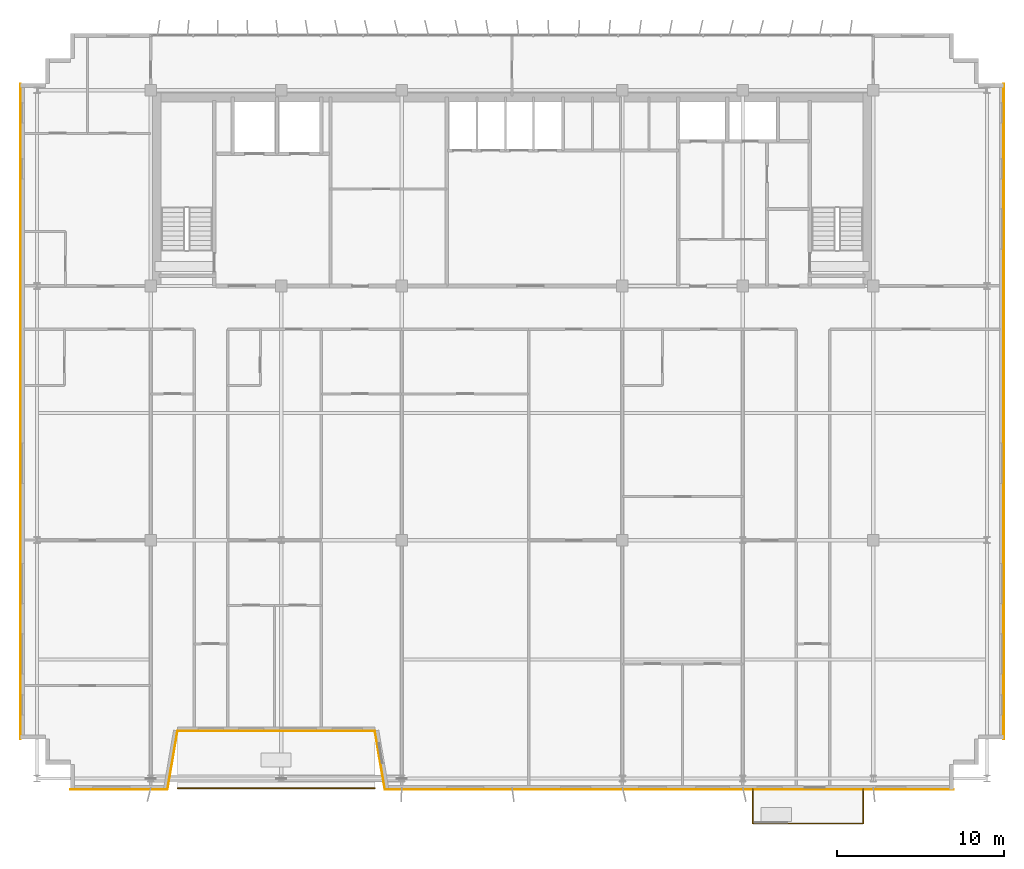
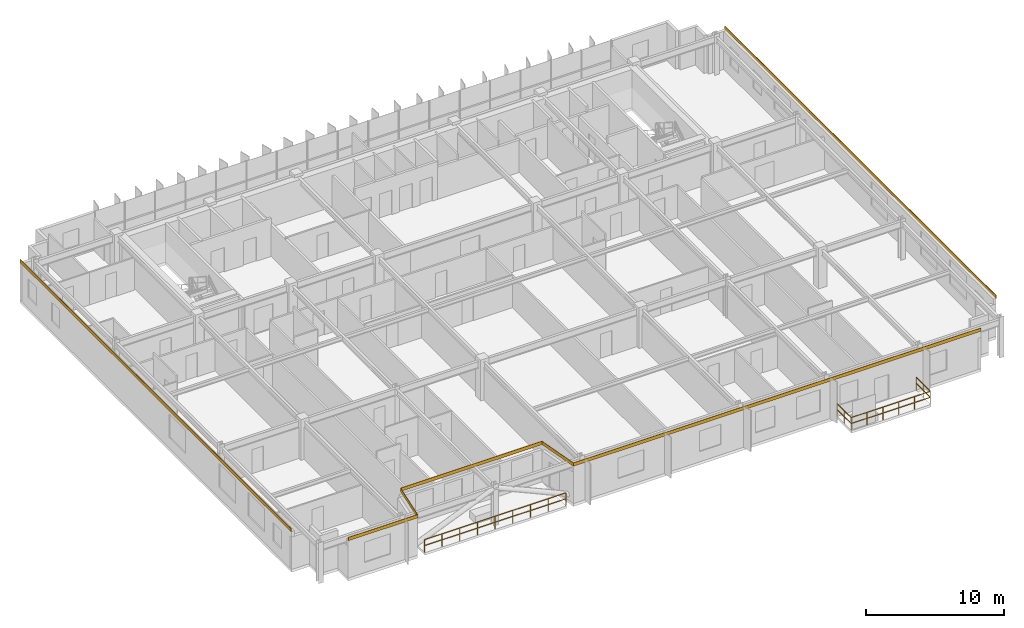
# One storey, part 19 of 20: 7 coverings, 4 railings.
"""IFC4 building model written with IfcOpenShell, lengths in metres."""

from ifc_helpers import new_model, si_unit, direction, frame, origin, origin_2d, place, context, subcontext, project, spatial, rectangle, extrude, source, transform, mapped, material, layer, layer_set, type_object, element, save


model = new_model("IFC4")

# Units and contexts
model_context = context("Model", 3, precision=1e-05, world=origin(), true_north=direction((0.0, 1.0)))
body_context = subcontext(model_context, "Body", "Model", "MODEL_VIEW")
ifc_project = project(units=[si_unit("LENGTHUNIT", "METRE"), si_unit("AREAUNIT", "SQUARE_METRE"), si_unit("VOLUMEUNIT", "CUBIC_METRE"), si_unit("PLANEANGLEUNIT", "RADIAN"), si_unit("MASSUNIT", "GRAM", prefix="KILO")], contexts=[model_context])

# Site, building, storey
site_placement = place(None, origin())
site = spatial("IfcSite", under=ifc_project, at=site_placement, CompositionType="ELEMENT")
building_placement = place(site_placement, origin())
building = spatial("IfcBuilding", under=site, at=building_placement, Name="Trelvane Seafront Commons", CompositionType="ELEMENT")
storey_placement = place(building_placement, frame((0.0, 0.0, 171.699951171875)))
storey = spatial("IfcBuildingStorey", under=building, at=storey_placement, Name="L45", CompositionType="ELEMENT", Elevation=171.699951171875)

# Railings
ifc_material_1 = material(Name="Stainless steel balustrade", Category="steel")
railing_type = type_object("IfcRailingType", Name="ARCH-RAIL-BAL1150", PredefinedType="BALUSTRADE", material=ifc_material_1)
railing_1_placement = place(storey_placement, frame((17.199951171875, 3.360107421875, 0.0)))
element("IfcRailing", 1, at=railing_1_placement, inside=storey, type_object=railing_type, Name="RL-L45-TR0-01", PredefinedType="BALUSTRADE", context=body_context, shape_type="SweptSolid", body=[
    extrude(rectangle(XDim=0.048095703125, YDim=0.048095703125, at=origin_2d()), frame((0.0, 0.0, 1.1259765625), z_axis=(1.0, 0.0, 0.0), x_axis=(0.0, 1.0, 0.0)), (0.0, 0.0, 1.0), 11.800048828125),
    extrude(rectangle(XDim=0.048095703125, YDim=0.048095703125, at=origin_2d()), frame((0.0, 0.0, 0.597900390625), z_axis=(1.0, 0.0, 0.0), x_axis=(0.0, 1.0, 0.0)), (0.0, 0.0, 1.0), 11.800048828125),
    extrude(rectangle(XDim=0.0419921875, YDim=0.0419921875, at=origin_2d()), origin(), (0.0, 0.0, 1.0), 1.1259765625),
    extrude(rectangle(XDim=0.0419921875, YDim=0.0419921875, at=origin_2d()), frame((1.47509765625, 0.0, 0.0)), (0.0, 0.0, 1.0), 1.1259765625),
    extrude(rectangle(XDim=0.0419921875, YDim=0.0419921875, at=origin_2d()), frame((2.949951171875, 0.0, 0.0)), (0.0, 0.0, 1.0), 1.1259765625),
    extrude(rectangle(XDim=0.0419921875, YDim=0.0419921875, at=origin_2d()), frame((4.425048828125, 0.0, 0.0)), (0.0, 0.0, 1.0), 1.1259765625),
    extrude(rectangle(XDim=0.0419921875, YDim=0.0419921875, at=origin_2d()), frame((5.89990234375, 0.0, 0.0)), (0.0, 0.0, 1.0), 1.1259765625),
    extrude(rectangle(XDim=0.0419921875, YDim=0.0419921875, at=origin_2d()), frame((7.375, 0.0, 0.0)), (0.0, 0.0, 1.0), 1.1259765625),
    extrude(rectangle(XDim=0.0419921875, YDim=0.0419921875, at=origin_2d()), frame((8.85009765625, 0.0, 0.0)), (0.0, 0.0, 1.0), 1.1259765625),
    extrude(rectangle(XDim=0.0419921875, YDim=0.0419921875, at=origin_2d()), frame((10.324951171875, 0.0, 0.0)), (0.0, 0.0, 1.0), 1.1259765625),
    extrude(rectangle(XDim=0.0419921875, YDim=0.0419921875, at=origin_2d()), frame((11.800048828125, 0.0, 0.0)), (0.0, 0.0, 1.0), 1.1259765625),
])
railing_2_placement = place(storey_placement, frame((51.60009765625, 3.300048828125, 0.0)))
element("IfcRailing", 2, at=railing_2_placement, inside=storey, type_object=railing_type, Name="RL-L45-BAL0-01", PredefinedType="BALUSTRADE", context=body_context, shape_type="SweptSolid", body=[
    extrude(rectangle(XDim=0.048095703125, YDim=0.048095703125, at=origin_2d()), frame((0.0, 0.0, 1.1259765625), z_axis=(0.0, -1.0, 0.0), x_axis=(1.0, 0.0, 0.0)), (0.0, 0.0, 1.0), 2.0400390625),
    extrude(rectangle(XDim=0.048095703125, YDim=0.048095703125, at=origin_2d()), frame((0.0, 0.0, 0.597900390625), z_axis=(0.0, -1.0, 0.0), x_axis=(1.0, 0.0, 0.0)), (0.0, 0.0, 1.0), 2.0400390625),
    extrude(rectangle(XDim=0.0419921875, YDim=0.0419921875, at=origin_2d()), origin(), (0.0, 0.0, 1.0), 1.1259765625),
    extrude(rectangle(XDim=0.0419921875, YDim=0.0419921875, at=origin_2d()), frame((0.0, -1.02001953125, 0.0)), (0.0, 0.0, 1.0), 1.1259765625),
    extrude(rectangle(XDim=0.0419921875, YDim=0.0419921875, at=origin_2d()), frame((0.0, -2.0400390625, 0.0)), (0.0, 0.0, 1.0), 1.1259765625),
])
railing_3_placement = place(storey_placement, frame((51.60009765625, 1.260009765625, 0.0)))
element("IfcRailing", 3, at=railing_3_placement, inside=storey, type_object=railing_type, Name="RL-L45-BAL0-02", PredefinedType="BALUSTRADE", context=body_context, shape_type="SweptSolid", body=[
    extrude(rectangle(XDim=0.048095703125, YDim=0.048095703125, at=origin_2d()), frame((0.0, 0.0, 1.1259765625), z_axis=(1.0, 0.0, 0.0), x_axis=(0.0, 1.0, 0.0)), (0.0, 0.0, 1.0), 6.599853515625),
    extrude(rectangle(XDim=0.048095703125, YDim=0.048095703125, at=origin_2d()), frame((0.0, 0.0, 0.597900390625), z_axis=(1.0, 0.0, 0.0), x_axis=(0.0, 1.0, 0.0)), (0.0, 0.0, 1.0), 6.599853515625),
    extrude(rectangle(XDim=0.0419921875, YDim=0.0419921875, at=origin_2d()), origin(), (0.0, 0.0, 1.0), 1.1259765625),
    extrude(rectangle(XDim=0.0419921875, YDim=0.0419921875, at=origin_2d()), frame((1.320068359375, 0.0, 0.0)), (0.0, 0.0, 1.0), 1.1259765625),
    extrude(rectangle(XDim=0.0419921875, YDim=0.0419921875, at=origin_2d()), frame((2.639892578125, 0.0, 0.0)), (0.0, 0.0, 1.0), 1.1259765625),
    extrude(rectangle(XDim=0.0419921875, YDim=0.0419921875, at=origin_2d()), frame((3.9599609375, 0.0, 0.0)), (0.0, 0.0, 1.0), 1.1259765625),
    extrude(rectangle(XDim=0.0419921875, YDim=0.0419921875, at=origin_2d()), frame((5.27978515625, 0.0, 0.0)), (0.0, 0.0, 1.0), 1.1259765625),
    extrude(rectangle(XDim=0.0419921875, YDim=0.0419921875, at=origin_2d()), frame((6.599853515625, 0.0, 0.0)), (0.0, 0.0, 1.0), 1.1259765625),
])
railing_4_placement = place(storey_placement, frame((58.199951171875, 1.260009765625, 0.0)))
element("IfcRailing", 4, at=railing_4_placement, inside=storey, type_object=railing_type, Name="RL-L45-BAL0-03", PredefinedType="BALUSTRADE", context=body_context, shape_type="SweptSolid", body=[
    extrude(rectangle(XDim=0.048095703125, YDim=0.048095703125, at=origin_2d()), frame((0.0, 0.0, 1.1259765625), z_axis=(0.0, 1.0, 0.0), x_axis=(-1.0, 0.0, 0.0)), (0.0, 0.0, 1.0), 2.0400390625),
    extrude(rectangle(XDim=0.048095703125, YDim=0.048095703125, at=origin_2d()), frame((0.0, 0.0, 0.597900390625), z_axis=(0.0, 1.0, 0.0), x_axis=(-1.0, 0.0, 0.0)), (0.0, 0.0, 1.0), 2.0400390625),
    extrude(rectangle(XDim=0.0419921875, YDim=0.0419921875, at=origin_2d()), origin(), (0.0, 0.0, 1.0), 1.1259765625),
    extrude(rectangle(XDim=0.0419921875, YDim=0.0419921875, at=origin_2d()), frame((0.0, 1.02001953125, 0.0)), (0.0, 0.0, 1.0), 1.1259765625),
    extrude(rectangle(XDim=0.0419921875, YDim=0.0419921875, at=origin_2d()), frame((0.0, 2.0400390625, 0.0)), (0.0, 0.0, 1.0), 1.1259765625),
])

# Coverings
ifc_material_2 = material(Name="Anodised pale-silver aluminium", Category="aluminium")
ifc_layer = layer(ifc_material_2, 0.034912109375, Name="ARCH-COV-CLAD35")
ifc_layer_set = layer_set([ifc_layer], Name="Anodised pale-silver aluminium")
covering_type = type_object("IfcCoveringType", Name="ARCH-COV-CLAD35", PredefinedType="CLADDING", material=ifc_layer_set)
shared_shape_1 = source(origin(), body_context, "Body", "SweptSolid", [
    extrude(rectangle(XDim=39.199951171875, YDim=0.034912109375, at=origin_2d()), origin(), (0.0, 0.0, 1.0), 0.2900390625),
])
for number, where, z_axis, x_axis, name in (
    (5, (7.800048828125, 25.89990234375, 3.31005859375), (0.0, 0.0, 1.0), (0.0, 1.0, 0.0), "CLD-L45-00176"),
    (6, (66.60009765625, 25.89990234375, 3.31005859375), (0.0, 0.0, 1.0), (0.0, -1.0, 0.0), "CLD-L45-00177"),
):
    element("IfcCovering", number, at=place(storey_placement, frame(where, z_axis=z_axis, x_axis=x_axis)), inside=storey, type_object=covering_type, Name=name, PredefinedType="CLADDING", context=body_context, shape_type="MappedRepresentation", body=[
        mapped(shared_shape_1, transform((0.0, 0.0, 0.0), x_axis=(1.0, 0.0, 0.0), y_axis=(0.0, 1.0, 0.0), z_axis=(0.0, 0.0, 1.0), scale=1.0)),
    ])
shared_shape_2 = source(origin(), body_context, "Body", "SweptSolid", [
    extrude(rectangle(XDim=34.0, YDim=0.034912109375, at=origin_2d()), origin(), (0.0, 0.0, 1.0), 0.2900390625),
])
covering_1_placement = place(storey_placement, frame((46.60009765625, 3.300048828125, 3.31005859375), z_axis=(0.0, 0.0, 1.0), x_axis=(-1.0, 0.0, 0.0)))
element("IfcCovering", 7, at=covering_1_placement, inside=storey, type_object=covering_type, Name="CLD-L45-00178", PredefinedType="CLADDING", context=body_context, shape_type="MappedRepresentation", body=[
    mapped(shared_shape_2, transform((0.0, 0.0, 0.0), x_axis=(1.0, 0.0, 0.0), y_axis=(0.0, 1.0, 0.0), z_axis=(0.0, 0.0, 1.0), scale=1.0)),
])
shared_shape_3 = source(origin(), body_context, "Body", "SweptSolid", [
    extrude(rectangle(XDim=3.551025390625, YDim=0.034912109375, at=origin_2d()), origin(), (0.0, 0.0, 1.0), 0.2900390625),
])
for number, where, z_axis, x_axis, name in (
    (8, (29.300048828125, 5.050048828125, 3.31005859375), (0.0, 0.0, 1.0), (-0.168964184077, 0.985622191562, 0.0), "CLD-L45-00179"),
    (9, (16.89990234375, 5.050048828125, 3.31005859375), (0.0, 0.0, 1.0), (-0.168964184077, -0.985622191562, 0.0), "CLD-L45-00181"),
):
    element("IfcCovering", number, at=place(storey_placement, frame(where, z_axis=z_axis, x_axis=x_axis)), inside=storey, type_object=covering_type, Name=name, PredefinedType="CLADDING", context=body_context, shape_type="MappedRepresentation", body=[
        mapped(shared_shape_3, transform((0.0, 0.0, 0.0), x_axis=(1.0, 0.0, 0.0), y_axis=(0.0, 1.0, 0.0), z_axis=(0.0, 0.0, 1.0), scale=1.0)),
    ])
shared_shape_4 = source(origin(), body_context, "Body", "SweptSolid", [
    extrude(rectangle(XDim=11.800048828125, YDim=0.034912109375, at=origin_2d()), origin(), (0.0, 0.0, 1.0), 0.2900390625),
])
covering_2_placement = place(storey_placement, frame((23.10009765625, 6.800048828125, 3.31005859375), z_axis=(0.0, 0.0, 1.0), x_axis=(-1.0, 0.0, 0.0)))
element("IfcCovering", 10, at=covering_2_placement, inside=storey, type_object=covering_type, Name="CLD-L45-00180", PredefinedType="CLADDING", context=body_context, shape_type="MappedRepresentation", body=[
    mapped(shared_shape_4, transform((0.0, 0.0, 0.0), x_axis=(1.0, 0.0, 0.0), y_axis=(0.0, 1.0, 0.0), z_axis=(0.0, 0.0, 1.0), scale=1.0)),
])
shared_shape_5 = source(origin(), body_context, "Body", "SweptSolid", [
    extrude(rectangle(XDim=5.800048828125, YDim=0.034912109375, at=origin_2d()), origin(), (0.0, 0.0, 1.0), 0.2900390625),
])
covering_3_placement = place(storey_placement, frame((13.699951171875, 3.300048828125, 3.31005859375), z_axis=(0.0, 0.0, 1.0), x_axis=(-1.0, 0.0, 0.0)))
element("IfcCovering", 11, at=covering_3_placement, inside=storey, type_object=covering_type, Name="CLD-L45-00182", PredefinedType="CLADDING", context=body_context, shape_type="MappedRepresentation", body=[
    mapped(shared_shape_5, transform((0.0, 0.0, 0.0), x_axis=(1.0, 0.0, 0.0), y_axis=(0.0, 1.0, 0.0), z_axis=(0.0, 0.0, 1.0), scale=1.0)),
])

save(model, "model.ifc")
